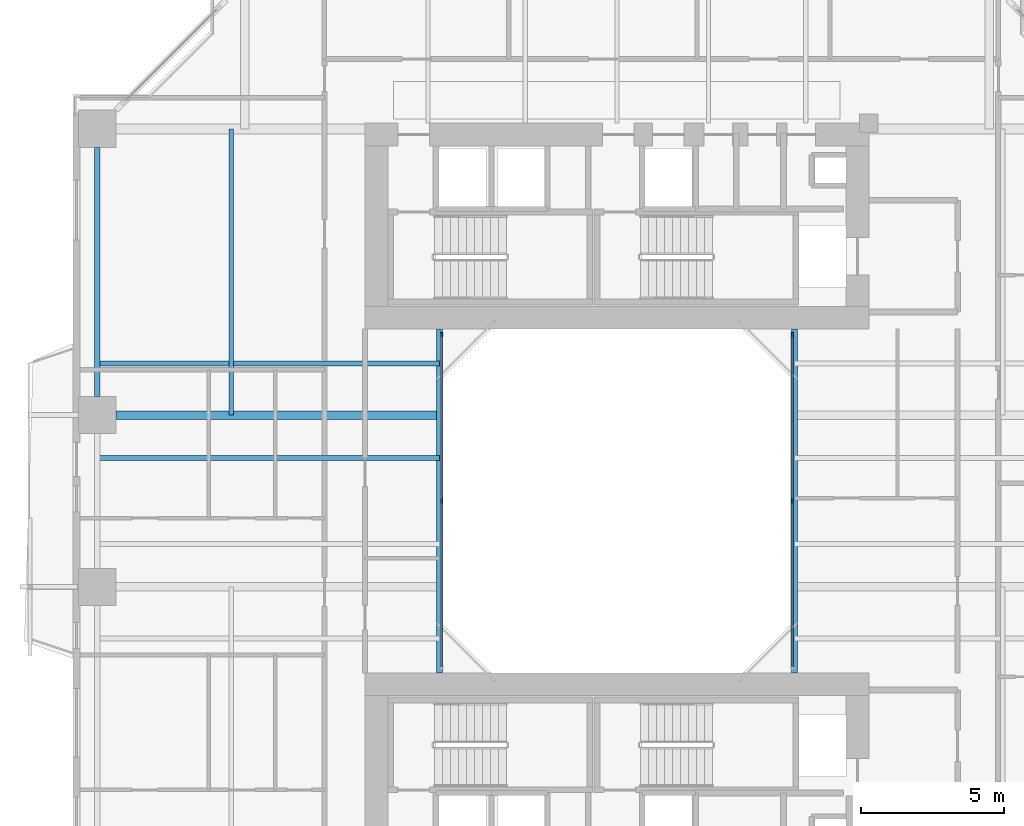
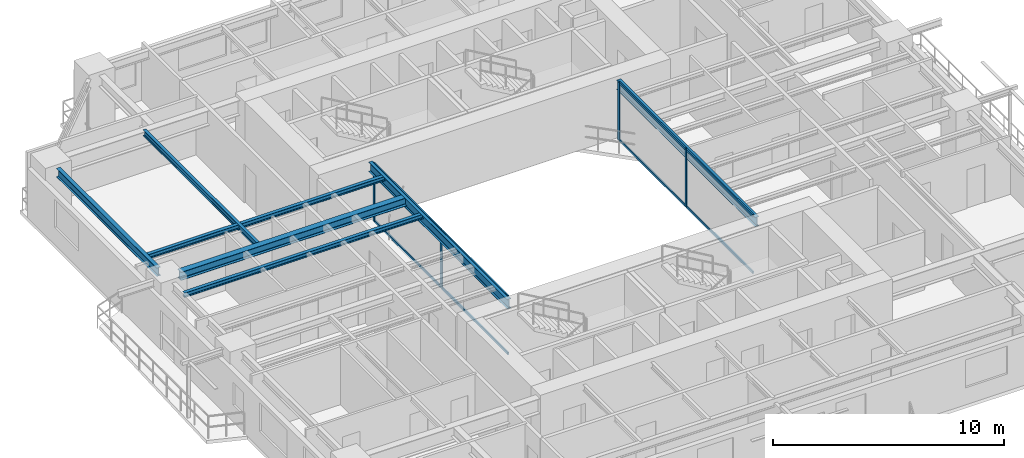
# One storey, part 4 of 24: 12 members, 7 beams, 2 elements without a shape of their own.
"""IFC4 building model written with IfcOpenShell, lengths in metres."""

import ifcopenshell
import ifcopenshell.guid

model = None  # the IFC model being written
_history = None  # IfcOwnerHistory: only IFC2X3 demands one
_inside = {}  # id of a spatial element -> (the spatial element, [elements in it])
_under = {}  # id of a project, library or spatial element -> (it, [spatial elements below it])
_declared = {}  # id of a project -> (the project, [libraries it declares])
_typed = {}  # id of a type object -> (the type object, [elements of that type])
_made_of = {}  # id of a material, layer set ... -> (it, [elements and type objects made of it])


def new_model(schema):
    """Start an empty IFC model of exactly this schema.

    Asked for "IFC4X3", IfcOpenShell would pick the latest addendum, in which some entities
    have other attributes; the version numbers below select the first issue.
    IFC2X3 requires an IfcOwnerHistory on every rooted entity: one is made here for all.
    """
    global model, _history
    if schema == "IFC4X3":
        model = ifcopenshell.file(schema_version=(4, 3, 0, 0))
    else:
        model = ifcopenshell.file(schema=schema)
    _inside.clear()
    _under.clear()
    _declared.clear()
    _typed.clear()
    _made_of.clear()
    _history = None
    if model.schema == "IFC2X3":
        org = make("IfcOrganization", Name="unknown")
        user = make(
            "IfcPersonAndOrganization",
            ThePerson=make("IfcPerson", FamilyName="unknown"),
            TheOrganization=org,
        )
        app = make(
            "IfcApplication",
            ApplicationDeveloper=org,
            Version="unknown",
            ApplicationFullName="unknown",
            ApplicationIdentifier="unknown",
        )
        _history = make(
            "IfcOwnerHistory",
            OwningUser=user,
            OwningApplication=app,
            ChangeAction="ADDED",
            CreationDate=0,
        )
    return model


def make(cls, **values):
    """One entity of the class cls with the attributes given. An attribute that is None is left unset."""
    return model.create_entity(
        cls, **{name: value for name, value in values.items() if value is not None}
    )


def rooted(cls, **values):
    """An entity with a GlobalId (a new one), such as an element, a storey or a relation."""
    return make(cls, GlobalId=ifcopenshell.guid.new(), OwnerHistory=_history, **values)


def si_unit(unit_type, name, prefix=None):
    """IfcSIUnit, for example si_unit("LENGTHUNIT", "METRE", prefix="MILLI")."""
    return make("IfcSIUnit", UnitType=unit_type, Prefix=prefix, Name=name)


def assignment(units):
    """IfcUnitAssignment: the units of a project."""
    return None if units is None else make("IfcUnitAssignment", Units=units)


def point(xyz):
    """IfcCartesianPoint."""
    return None if xyz is None else make("IfcCartesianPoint", Coordinates=xyz)


def direction(xyz):
    """IfcDirection."""
    return None if xyz is None else make("IfcDirection", DirectionRatios=xyz)


def frame(location, z_axis=None, x_axis=None):
    """IfcAxis2Placement3D, a coordinate frame: its origin and axes. An axis left out is left unset."""
    return make(
        "IfcAxis2Placement3D",
        Location=point(location),
        Axis=direction(z_axis),
        RefDirection=direction(x_axis),
    )


def frame_2d(location, x_axis=None):
    """IfcAxis2Placement2D, a coordinate frame in the plane: its origin and x axis."""
    return make(
        "IfcAxis2Placement2D", Location=point(location), RefDirection=direction(x_axis)
    )


def origin():
    """The frame at (0, 0, 0) with its axes left unset."""
    return frame((0.0, 0.0, 0.0))


def origin_2d():
    """The frame at (0, 0) in the plane with its x axis left unset."""
    return frame_2d((0.0, 0.0))


def place(relative_to, where):
    """IfcLocalPlacement: puts the frame where relative to a parent placement (None: the world)."""
    return make(
        "IfcLocalPlacement", PlacementRelTo=relative_to, RelativePlacement=where
    )


def context(
    kind, dimensions, precision=None, world=None, true_north=None, identifier=None
):
    """IfcGeometricRepresentationContext, for example the 3D "Model" context."""
    return make(
        "IfcGeometricRepresentationContext",
        ContextIdentifier=identifier,
        ContextType=kind,
        CoordinateSpaceDimension=dimensions,
        Precision=precision,
        WorldCoordinateSystem=world,
        TrueNorth=true_north,
    )


def subcontext(parent, identifier, kind, view, scale=None):
    """IfcGeometricRepresentationSubContext, for example "Body" below "Model"."""
    return make(
        "IfcGeometricRepresentationSubContext",
        ContextIdentifier=identifier,
        ContextType=kind,
        ParentContext=parent,
        TargetScale=scale,
        TargetView=view,
    )


def project(units=None, contexts=None):
    """IfcProject with its units and contexts."""
    return rooted(
        "IfcProject",
        Name="project",
        RepresentationContexts=contexts,
        UnitsInContext=assignment(units),
    )


def spatial(cls, under=None, at=None, **own):
    """A site, building, storey or space (cls), placed at a placement, below another one or the project."""
    s = rooted(cls, ObjectPlacement=at, **own)
    if under is not None:
        _under.setdefault(under.id(), (under, []))[1].append(s)
    return s


def profile(cls, at=None, kind="AREA", **sizes):
    """A parametric profile (cls). Its sizes go by their IFC names, for example OverallWidth=200.0."""
    return make(cls, ProfileType=kind, Position=at, **sizes)


def rectangle(**sizes):
    """IfcRectangleProfileDef."""
    return profile("IfcRectangleProfileDef", **sizes)


def i_section(**sizes):
    """IfcIShapeProfileDef."""
    return profile("IfcIShapeProfileDef", **sizes)


def extrude(swept, where, along, depth):
    """IfcExtrudedAreaSolid: the profile swept, set in the frame where, extruded along a direction by depth."""
    return make(
        "IfcExtrudedAreaSolid",
        SweptArea=swept,
        Position=where,
        ExtrudedDirection=direction(along),
        Depth=depth,
    )


def shape(context_of_items, identifier, shape_type, items):
    """IfcShapeRepresentation: the items that make up one representation, for example the "Body"."""
    return make(
        "IfcShapeRepresentation",
        ContextOfItems=context_of_items,
        RepresentationIdentifier=identifier,
        RepresentationType=shape_type,
        Items=items,
    )


def source(mapping_origin, context_of_items, identifier, shape_type, items):
    """IfcRepresentationMap: a shape defined once, which mapped items show again and again."""
    return make(
        "IfcRepresentationMap",
        MappingOrigin=mapping_origin,
        MappedRepresentation=shape(context_of_items, identifier, shape_type, items),
    )


def transform(
    local_origin,
    x_axis=None,
    y_axis=None,
    z_axis=None,
    scale=None,
    scale2=None,
    scale3=None,
    uniform=True,
):
    """IfcCartesianTransformationOperator3D, or its non-uniform kind. x_axis, y_axis, z_axis: its Axis1, 2, 3."""
    if uniform:
        return make(
            "IfcCartesianTransformationOperator3D",
            Axis1=direction(x_axis),
            Axis2=direction(y_axis),
            LocalOrigin=point(local_origin),
            Scale=scale,
            Axis3=direction(z_axis),
        )
    return make(
        "IfcCartesianTransformationOperator3DnonUniform",
        Axis1=direction(x_axis),
        Axis2=direction(y_axis),
        LocalOrigin=point(local_origin),
        Scale=scale,
        Axis3=direction(z_axis),
        Scale2=scale2,
        Scale3=scale3,
    )


def mapped(mapping_source, mapping_target):
    """IfcMappedItem: shows the shape of a source again, moved by a transform."""
    return make(
        "IfcMappedItem", MappingSource=mapping_source, MappingTarget=mapping_target
    )


def material(Name=None, Category=None):
    """IfcMaterial."""
    return make("IfcMaterial", Name=Name, Category=Category)


def layer(
    of_material, thickness, ventilated=None, Name=None, Category=None, Priority=None
):
    """IfcMaterialLayer: one layer of a wall or slab, of a material (None: an air gap)."""
    return make(
        "IfcMaterialLayer",
        Material=of_material,
        LayerThickness=thickness,
        IsVentilated=ventilated,
        Name=Name,
        Category=Category,
        Priority=Priority,
    )


def layer_set(layers, Name=None):
    """IfcMaterialLayerSet."""
    return make("IfcMaterialLayerSet", MaterialLayers=layers, LayerSetName=Name)


def material_profile(
    of_material, cross_section, Name=None, Category=None, Priority=None
):
    """IfcMaterialProfile: a cross section and its material."""
    return make(
        "IfcMaterialProfile",
        Name=Name,
        Material=of_material,
        Profile=cross_section,
        Priority=Priority,
        Category=Category,
    )


def profile_set(profiles, Name=None, composite=None):
    """IfcMaterialProfileSet."""
    return make(
        "IfcMaterialProfileSet",
        Name=Name,
        MaterialProfiles=profiles,
        CompositeProfile=composite,
    )


def made_of(thing, what):
    """Note that an element or type object is made of a material, layer set ...; save() writes the relation."""
    if what is not None:
        _made_of.setdefault(what.id(), (what, []))[1].append(thing)
    return thing


def type_object(cls, material=None, **own):
    """A type object (cls), such as IfcWallType, which elements share."""
    return made_of(rooted(cls, **own), material)


def element(
    cls,
    number,
    at=None,
    inside=None,
    cuts=None,
    type_object=None,
    material=None,
    context=None,
    identifier="Body",
    shape_type=None,
    held_by="IfcProductDefinitionShape",
    body=None,
    shapes=None,
    **own,
):
    """One element of the class cls, such as IfcWall. Its Tag is "e" and its number.

    at: its placement. inside: the storey or other place that contains it. cuts: it is an
    opening in that element (IfcRelVoidsElement). A single representation is given by context,
    identifier, shape_type and body (its items); several are given by shapes. held_by: the class
    of the entity that holds the representations. save() writes the other relations.
    """
    e = rooted(cls, Tag="e%d" % number, ObjectPlacement=at, **own)
    if body is not None:
        shapes = [shape(context, identifier, shape_type, body)]
    if shapes is not None:
        e.Representation = make(held_by, Representations=shapes)
    if inside is not None:
        _inside.setdefault(inside.id(), (inside, []))[1].append(e)
    if cuts is not None:
        rooted(
            "IfcRelVoidsElement", RelatingBuildingElement=cuts, RelatedOpeningElement=e
        )
    if type_object is not None:
        _typed.setdefault(type_object.id(), (type_object, []))[1].append(e)
    return made_of(e, material)


def aggregate(whole, parts):
    """IfcRelAggregates: a whole, such as a stair, and the parts it consists of."""
    return rooted("IfcRelAggregates", RelatingObject=whole, RelatedObjects=parts)


def save(model, path):
    """Write the relations noted so far, then the file.

    IfcRelAggregates (storeys below a building ...), IfcRelContainedInSpatialStructure (elements
    in a storey), IfcRelDefinesByType, IfcRelAssociatesMaterial and IfcRelDeclares: one each for
    every whole, place, type object, material and project.
    """
    for whole, parts in _under.values():
        aggregate(whole, parts)
    for where, things in _inside.values():
        rooted(
            "IfcRelContainedInSpatialStructure",
            RelatedElements=things,
            RelatingStructure=where,
        )
    for kind, things in _typed.values():
        rooted("IfcRelDefinesByType", RelatedObjects=things, RelatingType=kind)
    for what, things in _made_of.values():
        rooted("IfcRelAssociatesMaterial", RelatedObjects=things, RelatingMaterial=what)
    for by, libraries in _declared.values():
        rooted("IfcRelDeclares", RelatingContext=by, RelatedDefinitions=libraries)
    model.write(path)


model = new_model("IFC4")

# Units and contexts
model_context = context("Model", 3, precision=1e-05, world=origin(), true_north=direction((0.0, 1.0)))
body_context = subcontext(model_context, "Body", "Model", "MODEL_VIEW")
ifc_project = project(units=[si_unit("LENGTHUNIT", "METRE"), si_unit("AREAUNIT", "SQUARE_METRE"), si_unit("VOLUMEUNIT", "CUBIC_METRE"), si_unit("PLANEANGLEUNIT", "RADIAN"), si_unit("MASSUNIT", "GRAM", prefix="KILO"), si_unit("THERMODYNAMICTEMPERATUREUNIT", "KELVIN"), si_unit("POWERUNIT", "WATT")], contexts=[model_context])

# Site, building, storey
site_placement = place(None, origin())
site = spatial("IfcSite", under=ifc_project, at=site_placement, CompositionType="ELEMENT")
building_placement = place(site_placement, origin())
building = spatial("IfcBuilding", under=site, at=building_placement, Name="Qiaomeng Ring Towers", CompositionType="ELEMENT")
storey_placement = place(building_placement, frame((0.0, 0.0, 69.75)))
storey = spatial("IfcBuildingStorey", under=building, at=storey_placement, Name="L19", CompositionType="ELEMENT", Elevation=69.75)

# Beams
ifc_material_1 = material(Name="Steel Q355B", Category="steel")
ifc_material_profile_1 = material_profile(ifc_material_1, i_section(OverallWidth=0.199951171875, OverallDepth=0.5, WebThickness=0.010009765625, FlangeThickness=0.01611328125, FilletRadius=0.02001953125, at=origin_2d()), Name="HN 500x200x10x16")
ifc_profile_set_1 = profile_set([ifc_material_profile_1], Name="Steel Q355B")
beam_type_1 = type_object("IfcBeamType", Name="STR-BM-HN500", PredefinedType="BEAM", material=ifc_profile_set_1)
shared_shape_1 = source(origin(), body_context, "Body", "SweptSolid", [
    extrude(i_section(OverallWidth=0.199951171875, OverallDepth=0.5, WebThickness=0.010009765625, FlangeThickness=0.01611328125, FilletRadius=0.02001953125, at=origin_2d()), origin(), (0.0, 0.0, 1.0), 12.0),
])
for number, where, z_axis, x_axis, name in (
    (1, (12.800048828125, 17.0, 2.820068359375), (0.0, 1.0, 0.0), (-1.0, 0.0, 0.0), "L19 beam STR-BM-L19-WELL-W"),
    (2, (25.199951171875, 17.0, 2.820068359375), (0.0, 1.0, 0.0), (-1.0, 0.0, 0.0), "L19 beam STR-BM-L19-WELL-E"),
):
    element("IfcBeam", number, at=place(storey_placement, frame(where, z_axis=z_axis, x_axis=x_axis)), inside=storey, type_object=beam_type_1, Name=name, PredefinedType="BEAM", context=body_context, shape_type="MappedRepresentation", body=[
        mapped(shared_shape_1, transform((0.0, 0.0, 0.0), x_axis=(1.0, 0.0, 0.0), y_axis=(0.0, 1.0, 0.0), z_axis=(0.0, 0.0, 1.0), scale=1.0)),
    ])
ifc_material_profile_2 = material_profile(ifc_material_1, i_section(OverallWidth=0.199951171875, OverallDepth=0.449951171875, WebThickness=0.009033203125, FlangeThickness=0.013916015625, FilletRadius=0.01806640625, at=origin_2d()), Name="HN 450x200x9x14")
ifc_profile_set_2 = profile_set([ifc_material_profile_2], Name="Steel Q355B")
beam_type_2 = type_object("IfcBeamType", Name="STR-BM-HN450", PredefinedType="SPANDREL", material=ifc_profile_set_2)
shared_shape_2 = source(origin(), body_context, "Body", "SweptSolid", [
    extrude(i_section(OverallWidth=0.199951171875, OverallDepth=0.449951171875, WebThickness=0.009033203125, FlangeThickness=0.013916015625, FilletRadius=0.01806640625, at=origin_2d()), origin(), (0.0, 0.0, 1.0), 8.7021484375),
])
beam_1_placement = place(storey_placement, frame((0.85009765625, 35.35107421875, 2.844970703125), z_axis=(0.0, -1.0, 0.0), x_axis=(1.0, 0.0, 0.0)))
element("IfcBeam", 3, at=beam_1_placement, inside=storey, type_object=beam_type_2, Name="L19 beam STR-SP-L19-T1-W4-W3", PredefinedType="SPANDREL", context=body_context, shape_type="MappedRepresentation", body=[
    mapped(shared_shape_2, transform((0.0, 0.0, 0.0), x_axis=(1.0, 0.0, 0.0), y_axis=(0.0, 1.0, 0.0), z_axis=(0.0, 0.0, 1.0), scale=1.0)),
])
ifc_material_profile_3 = material_profile(ifc_material_1, i_section(OverallWidth=0.300048828125, OverallDepth=0.43994140625, WebThickness=0.010986328125, FlangeThickness=0.01806640625, FilletRadius=0.02392578125, at=origin_2d()), Name="HM 440x300x11x18")
ifc_profile_set_3 = profile_set([ifc_material_profile_3], Name="Steel Q355B")
beam_type_3 = type_object("IfcBeamType", Name="STR-BM-HM440", PredefinedType="BEAM", material=ifc_profile_set_3)
shared_shape_3 = source(origin(), body_context, "Body", "SweptSolid", [
    extrude(i_section(OverallWidth=0.300048828125, OverallDepth=0.43994140625, WebThickness=0.010986328125, FlangeThickness=0.01806640625, FilletRadius=0.02392578125, at=origin_2d()), origin(), (0.0, 0.0, 1.0), 11.301025390625),
])
beam_2_placement = place(storey_placement, frame((1.4990234375, 26.0, 2.85009765625), z_axis=(1.0, 0.0, 0.0), x_axis=(0.0, 1.0, 0.0)))
element("IfcBeam", 4, at=beam_2_placement, inside=storey, type_object=beam_type_3, Name="L19 beam STR-BM-L19-T1-RAD-W3", PredefinedType="BEAM", context=body_context, shape_type="MappedRepresentation", body=[
    mapped(shared_shape_3, transform((0.0, 0.0, 0.0), x_axis=(1.0, 0.0, 0.0), y_axis=(0.0, 1.0, 0.0), z_axis=(0.0, 0.0, 1.0), scale=1.0)),
])
ifc_material_profile_4 = material_profile(ifc_material_1, i_section(OverallWidth=0.175048828125, OverallDepth=0.243896484375, WebThickness=0.007080078125, FlangeThickness=0.010986328125, FilletRadius=0.01611328125, at=origin_2d()), Name="HM 244x175x7x11")
ifc_profile_set_4 = profile_set([ifc_material_profile_4], Name="Steel Q355B")
beam_type_4 = type_object("IfcBeamType", Name="STR-BM-HM244", PredefinedType="JOIST", material=ifc_profile_set_4)
shared_shape_4 = source(origin(), body_context, "Body", "SweptSolid", [
    extrude(i_section(OverallWidth=0.175048828125, OverallDepth=0.243896484375, WebThickness=0.007080078125, FlangeThickness=0.010986328125, FilletRadius=0.01611328125, at=origin_2d()), origin(), (0.0, 0.0, 1.0), 11.949951171875),
])
for number, where, z_axis, x_axis, name in (
    (5, (0.85009765625, 24.5, 2.947998046875), (1.0, 0.0, 0.0), (0.0, 1.0, 0.0), "L19 beam STR-JST-L19-T1W-3"),
    (6, (0.85009765625, 27.800048828125, 2.947998046875), (1.0, 0.0, 0.0), (0.0, 1.0, 0.0), "L19 beam STR-JST-L19-T1W-4"),
):
    element("IfcBeam", number, at=place(storey_placement, frame(where, z_axis=z_axis, x_axis=x_axis)), inside=storey, type_object=beam_type_4, Name=name, PredefinedType="JOIST", context=body_context, shape_type="MappedRepresentation", body=[
        mapped(shared_shape_4, transform((0.0, 0.0, 0.0), x_axis=(1.0, 0.0, 0.0), y_axis=(0.0, 1.0, 0.0), z_axis=(0.0, 0.0, 1.0), scale=1.0)),
    ])
ifc_material_profile_5 = material_profile(ifc_material_1, i_section(OverallWidth=0.14990234375, OverallDepth=0.300048828125, WebThickness=0.006591796875, FlangeThickness=0.009033203125, FilletRadius=0.012939453125, at=origin_2d()), Name="HN 300x150x6.5x9")
ifc_profile_set_5 = profile_set([ifc_material_profile_5], Name="Steel Q355B")
beam_type_5 = type_object("IfcBeamType", Name="STR-BM-HN300", PredefinedType="JOIST", material=ifc_profile_set_5)
shared_shape_5 = source(origin(), body_context, "Body", "SweptSolid", [
    extrude(i_section(OverallWidth=0.14990234375, OverallDepth=0.300048828125, WebThickness=0.006591796875, FlangeThickness=0.009033203125, FilletRadius=0.012939453125, at=origin_2d()), origin(), (0.0, 0.0, 1.0), 10.0),
])
beam_3_placement = place(storey_placement, frame((5.52490234375, 26.0, 2.919921875), z_axis=(0.0, 1.0, 0.0), x_axis=(-1.0, 0.0, 0.0)))
element("IfcBeam", 7, at=beam_3_placement, inside=storey, type_object=beam_type_5, Name="L19 beam STR-JST-L19-T1C-WN", PredefinedType="JOIST", context=body_context, shape_type="MappedRepresentation", body=[
    mapped(shared_shape_5, transform((0.0, 0.0, 0.0), x_axis=(1.0, 0.0, 0.0), y_axis=(0.0, 1.0, 0.0), z_axis=(0.0, 0.0, 1.0), scale=1.0)),
])

# Curtain wall, members
ifc_material_2 = material(Name="Fluorocarbon dark-grey aluminium", Category="aluminium")
ifc_layer = layer(ifc_material_2, 0.139892578125, Name="Fluorocarbon dark-grey aluminium")
ifc_layer_set = layer_set([ifc_layer], Name="Fluorocarbon dark-grey aluminium")
curtain_wall_type = type_object("IfcCurtainWallType", Name="ARC-CW-4", PredefinedType="NOTDEFINED", material=ifc_layer_set)
curtain_wall_1_placement = place(storey_placement, origin())
curtain_wall_1 = element("IfcCurtainWall", 8, at=curtain_wall_1_placement, inside=storey, type_object=curtain_wall_type, Name="L19 Curtain Wall CW4", PredefinedType="NOTDEFINED")
ifc_material_profile_6 = material_profile(ifc_material_2, rectangle(XDim=0.06494140625, YDim=0.159912109375, at=origin_2d()), Name="ALU MULL 65x160")
ifc_profile_set_6 = profile_set([ifc_material_profile_6], Name="Fluorocarbon dark-grey aluminium")
member_type_1 = type_object("IfcMemberType", Name="ARC-CWM-140", PredefinedType="MULLION", material=ifc_profile_set_6)
shared_shape_6 = source(origin(), body_context, "Body", "SweptSolid", [
    extrude(rectangle(XDim=0.06494140625, YDim=0.159912109375, at=origin_2d()), origin(), (0.0, 0.0, 1.0), 3.070068359375),
])
member_1_placement = place(storey_placement, frame((12.8798828125, 23.0, 0.0), z_axis=(0.0, 0.0, 1.0), x_axis=(-1.0, 0.0, 0.0)))
member_1 = element("IfcMember", 9, at=member_1_placement, type_object=member_type_1, Name="CW4 mullion 2", PredefinedType="MULLION", context=body_context, shape_type="MappedRepresentation", body=[
    mapped(shared_shape_6, transform((0.0, 0.0, 0.0), x_axis=(1.0, 0.0, 0.0), y_axis=(0.0, 1.0, 0.0), z_axis=(0.0, 0.0, 1.0), scale=1.0)),
])
member_2_placement = place(storey_placement, frame((12.8798828125, 28.8173828125, 0.0), z_axis=(0.0, 0.0, 1.0), x_axis=(-1.0, 0.0, 0.0)))
member_2 = element("IfcMember", 10, at=member_2_placement, type_object=member_type_1, Name="CW4 mullion 3", PredefinedType="MULLION", context=body_context, shape_type="MappedRepresentation", body=[
    mapped(shared_shape_6, transform((0.0, 0.0, 0.0), x_axis=(1.0, 0.0, 0.0), y_axis=(0.0, 1.0, 0.0), z_axis=(0.0, 0.0, 1.0), scale=1.0)),
])

curtain_wall_2_placement = place(storey_placement, origin())
curtain_wall_2 = element("IfcCurtainWall", 11, at=curtain_wall_2_placement, inside=storey, type_object=curtain_wall_type, Name="L19 Curtain Wall CW4", PredefinedType="NOTDEFINED")
member_3_placement = place(storey_placement, frame((25.1201171875, 23.0, 0.0), z_axis=(0.0, 0.0, 1.0), x_axis=(-1.0, 0.0, 0.0)))
member_3 = element("IfcMember", 12, at=member_3_placement, type_object=member_type_1, Name="CW4 mullion 2", PredefinedType="MULLION", context=body_context, shape_type="MappedRepresentation", body=[
    mapped(shared_shape_6, transform((0.0, 0.0, 0.0), x_axis=(1.0, 0.0, 0.0), y_axis=(0.0, 1.0, 0.0), z_axis=(0.0, 0.0, 1.0), scale=1.0)),
])
member_4_placement = place(storey_placement, frame((25.1201171875, 28.8173828125, 0.0), z_axis=(0.0, 0.0, 1.0), x_axis=(-1.0, 0.0, 0.0)))
member_4 = element("IfcMember", 13, at=member_4_placement, type_object=member_type_1, Name="CW4 mullion 3", PredefinedType="MULLION", context=body_context, shape_type="MappedRepresentation", body=[
    mapped(shared_shape_6, transform((0.0, 0.0, 0.0), x_axis=(1.0, 0.0, 0.0), y_axis=(0.0, 1.0, 0.0), z_axis=(0.0, 0.0, 1.0), scale=1.0)),
])

# Member
ifc_material_profile_7 = material_profile(ifc_material_2, rectangle(XDim=0.06494140625, YDim=0.1298828125, at=origin_2d()), Name="ALU TRAN 65x130")
ifc_profile_set_7 = profile_set([ifc_material_profile_7], Name="Fluorocarbon dark-grey aluminium")
member_type_2 = type_object("IfcMemberType", Name="ARC-CWT-120", PredefinedType="USERDEFINED", material=ifc_profile_set_7)
shared_shape_7 = source(origin(), body_context, "Body", "SweptSolid", [
    extrude(rectangle(XDim=0.06494140625, YDim=0.1298828125, at=origin_2d()), origin(), (0.0, 0.0, 1.0), 5.75244140625),
])
member_5_placement = place(storey_placement, frame((12.8798828125, 17.215087890625, 0.032470703125), z_axis=(0.0, 1.0, 0.0), x_axis=(-1.0, 0.0, 0.0)))
member_5 = element("IfcMember", 14, at=member_5_placement, type_object=member_type_2, Name="CW4 transom 1.1", ObjectType="TRANSOM", PredefinedType="USERDEFINED", context=body_context, shape_type="MappedRepresentation", body=[
    mapped(shared_shape_7, transform((0.0, 0.0, 0.0), x_axis=(1.0, 0.0, 0.0), y_axis=(0.0, 1.0, 0.0), z_axis=(0.0, 0.0, 1.0), scale=1.0)),
])

member_6_placement = place(storey_placement, frame((12.8798828125, 17.215087890625, 3.03759765625), z_axis=(0.0, 1.0, 0.0), x_axis=(-1.0, 0.0, 0.0)))
member_6 = element("IfcMember", 15, at=member_6_placement, type_object=member_type_2, Name="CW4 transom 1.2", ObjectType="TRANSOM", PredefinedType="USERDEFINED", context=body_context, shape_type="MappedRepresentation", body=[
    mapped(shared_shape_7, transform((0.0, 0.0, 0.0), x_axis=(1.0, 0.0, 0.0), y_axis=(0.0, 1.0, 0.0), z_axis=(0.0, 0.0, 1.0), scale=1.0)),
])

member_7_placement = place(storey_placement, frame((12.8798828125, 23.032470703125, 0.032470703125), z_axis=(0.0, 1.0, 0.0), x_axis=(-1.0, 0.0, 0.0)))
member_7 = element("IfcMember", 16, at=member_7_placement, type_object=member_type_2, Name="CW4 transom 2.1", ObjectType="TRANSOM", PredefinedType="USERDEFINED", context=body_context, shape_type="MappedRepresentation", body=[
    mapped(shared_shape_7, transform((0.0, 0.0, 0.0), x_axis=(1.0, 0.0, 0.0), y_axis=(0.0, 1.0, 0.0), z_axis=(0.0, 0.0, 1.0), scale=1.0)),
])

member_8_placement = place(storey_placement, frame((12.8798828125, 23.032470703125, 3.03759765625), z_axis=(0.0, 1.0, 0.0), x_axis=(-1.0, 0.0, 0.0)))
member_8 = element("IfcMember", 17, at=member_8_placement, type_object=member_type_2, Name="CW4 transom 2.2", ObjectType="TRANSOM", PredefinedType="USERDEFINED", context=body_context, shape_type="MappedRepresentation", body=[
    mapped(shared_shape_7, transform((0.0, 0.0, 0.0), x_axis=(1.0, 0.0, 0.0), y_axis=(0.0, 1.0, 0.0), z_axis=(0.0, 0.0, 1.0), scale=1.0)),
])

aggregate(curtain_wall_1, [member_1, member_2, member_5, member_6, member_7, member_8])

member_9_placement = place(storey_placement, frame((25.1201171875, 17.215087890625, 0.032470703125), z_axis=(0.0, 1.0, 0.0), x_axis=(-1.0, 0.0, 0.0)))
member_9 = element("IfcMember", 18, at=member_9_placement, type_object=member_type_2, Name="CW4 transom 1.1", ObjectType="TRANSOM", PredefinedType="USERDEFINED", context=body_context, shape_type="MappedRepresentation", body=[
    mapped(shared_shape_7, transform((0.0, 0.0, 0.0), x_axis=(1.0, 0.0, 0.0), y_axis=(0.0, 1.0, 0.0), z_axis=(0.0, 0.0, 1.0), scale=1.0)),
])

member_10_placement = place(storey_placement, frame((25.1201171875, 17.215087890625, 3.03759765625), z_axis=(0.0, 1.0, 0.0), x_axis=(-1.0, 0.0, 0.0)))
member_10 = element("IfcMember", 19, at=member_10_placement, type_object=member_type_2, Name="CW4 transom 1.2", ObjectType="TRANSOM", PredefinedType="USERDEFINED", context=body_context, shape_type="MappedRepresentation", body=[
    mapped(shared_shape_7, transform((0.0, 0.0, 0.0), x_axis=(1.0, 0.0, 0.0), y_axis=(0.0, 1.0, 0.0), z_axis=(0.0, 0.0, 1.0), scale=1.0)),
])

member_11_placement = place(storey_placement, frame((25.1201171875, 23.032470703125, 0.032470703125), z_axis=(0.0, 1.0, 0.0), x_axis=(-1.0, 0.0, 0.0)))
member_11 = element("IfcMember", 20, at=member_11_placement, type_object=member_type_2, Name="CW4 transom 2.1", ObjectType="TRANSOM", PredefinedType="USERDEFINED", context=body_context, shape_type="MappedRepresentation", body=[
    mapped(shared_shape_7, transform((0.0, 0.0, 0.0), x_axis=(1.0, 0.0, 0.0), y_axis=(0.0, 1.0, 0.0), z_axis=(0.0, 0.0, 1.0), scale=1.0)),
])

member_12_placement = place(storey_placement, frame((25.1201171875, 23.032470703125, 3.03759765625), z_axis=(0.0, 1.0, 0.0), x_axis=(-1.0, 0.0, 0.0)))
member_12 = element("IfcMember", 21, at=member_12_placement, type_object=member_type_2, Name="CW4 transom 2.2", ObjectType="TRANSOM", PredefinedType="USERDEFINED", context=body_context, shape_type="MappedRepresentation", body=[
    mapped(shared_shape_7, transform((0.0, 0.0, 0.0), x_axis=(1.0, 0.0, 0.0), y_axis=(0.0, 1.0, 0.0), z_axis=(0.0, 0.0, 1.0), scale=1.0)),
])

aggregate(curtain_wall_2, [member_3, member_4, member_9, member_10, member_11, member_12])

save(model, "model.ifc")
